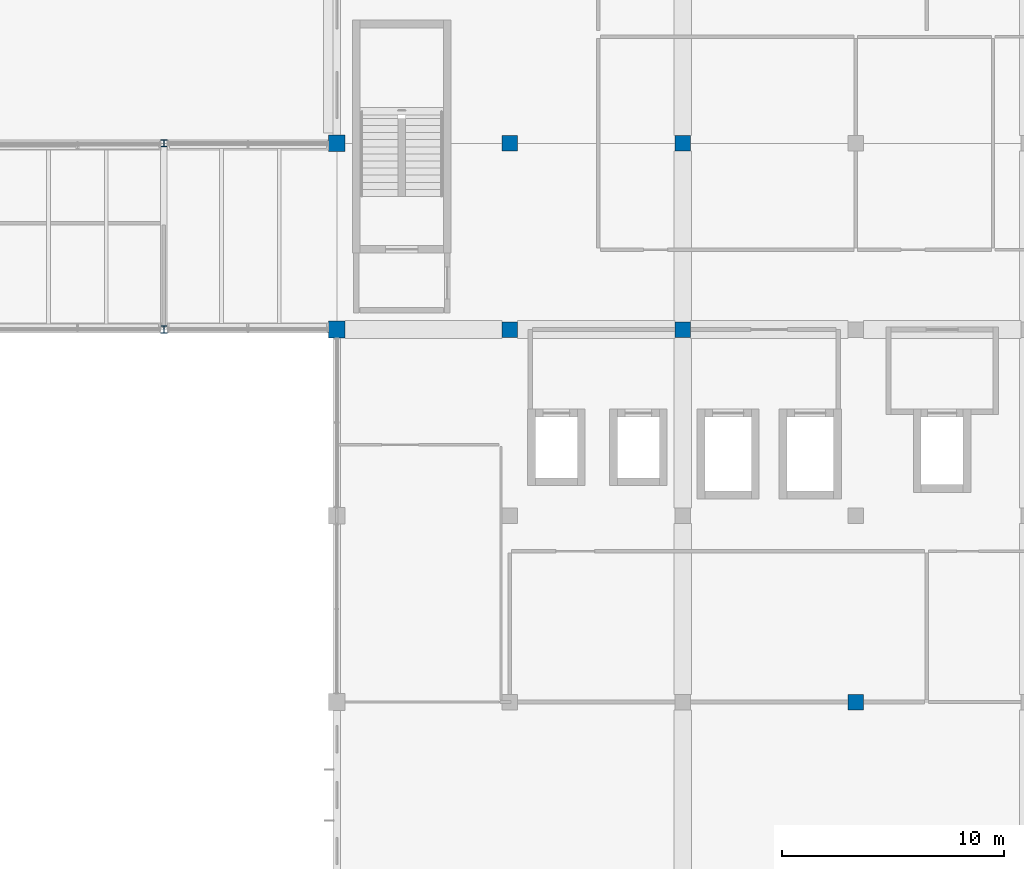
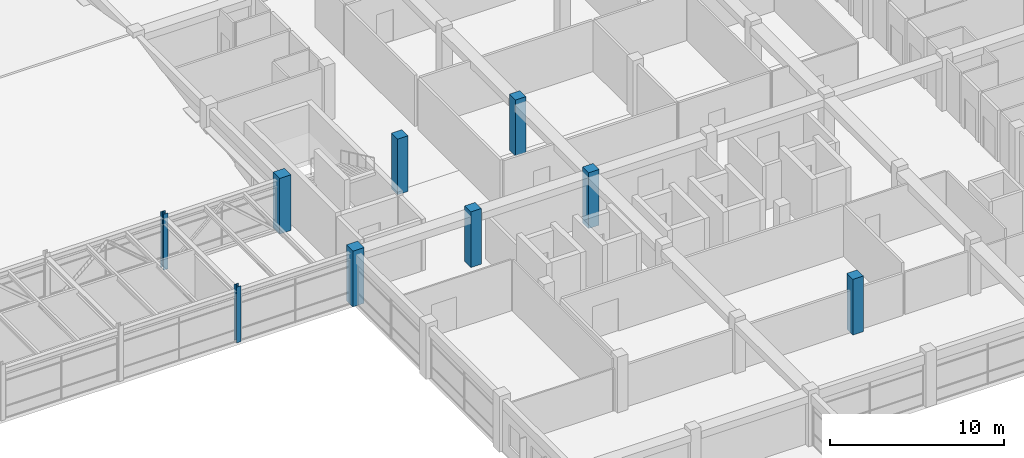
# One storey, part 4 of 72: 9 columns.
"""IFC4 building model written with IfcOpenShell, lengths in metres."""

from ifc_helpers import new_model, si_unit, direction, frame, origin, origin_2d, place, context, subcontext, project, spatial, rectangle, i_section, extrude, material, material_profile, profile_set, type_object, element, save


model = new_model("IFC4")

# Units and contexts
model_context = context("Model", 3, precision=1e-05, world=origin(), true_north=direction((0.0, 1.0)))
body_context = subcontext(model_context, "Body", "Model", "MODEL_VIEW")
ifc_project = project(units=[si_unit("LENGTHUNIT", "METRE"), si_unit("AREAUNIT", "SQUARE_METRE"), si_unit("VOLUMEUNIT", "CUBIC_METRE"), si_unit("PLANEANGLEUNIT", "RADIAN"), si_unit("MASSUNIT", "GRAM", prefix="KILO"), si_unit("THERMODYNAMICTEMPERATUREUNIT", "KELVIN"), si_unit("POWERUNIT", "WATT")], contexts=[model_context])

# Site, building, storey
site_placement = place(None, origin())
site = spatial("IfcSite", under=ifc_project, at=site_placement, CompositionType="ELEMENT")
building_placement = place(site_placement, origin())
building = spatial("IfcBuilding", under=site, at=building_placement, Name="Srebrne Nadtorze General Hospital", CompositionType="ELEMENT")
storey_placement = place(building_placement, frame((0.0, 0.0, 22.199951171875)))
storey = spatial("IfcBuildingStorey", under=building, at=storey_placement, Name="L05", CompositionType="ELEMENT", Elevation=22.199951171875)

# Columns
ifc_material_1 = material(Name="Concrete C40/50", Category="concrete")
ifc_material_profile_1 = material_profile(ifc_material_1, rectangle(XDim=0.699951171875, YDim=0.699951171875, at=origin_2d()), Name="RC-COL-700x700")
ifc_profile_set_1 = profile_set([ifc_material_profile_1], Name="Concrete C40/50")
column_type_1 = type_object("IfcColumnType", Name="Reinforced concrete column 700x700", PredefinedType="COLUMN", material=ifc_profile_set_1)
for number, where, z_axis, x_axis, name in (
    (1, (109.199951171875, 50.39990234375, 0.0), (0.0, 0.0, 1.0), (1.0, 0.0, 0.0), "Column CL-L05-15-G"),
    (2, (109.199951171875, 58.800048828125, 0.0), (0.0, 0.0, 1.0), (1.0, 0.0, 0.0), "Column CL-L05-15-H"),
    (3, (117.0, 50.39990234375, 0.0), (0.0, 0.0, 1.0), (1.0, 0.0, 0.0), "Column CL-L05-16-G"),
    (4, (117.0, 58.800048828125, 0.0), (0.0, 0.0, 1.0), (1.0, 0.0, 0.0), "Column CL-L05-16-H"),
    (5, (124.800048828125, 33.60009765625, 0.0), (0.0, 0.0, 1.0), (1.0, 0.0, 0.0), "Column CL-L05-17-E"),
):
    element("IfcColumn", number, at=place(storey_placement, frame(where, z_axis=z_axis, x_axis=x_axis)), inside=storey, type_object=column_type_1, Name=name, PredefinedType="COLUMN", context=body_context, shape_type="SweptSolid", body=[
        extrude(rectangle(XDim=0.699951171875, YDim=0.699951171875, at=origin_2d()), origin(), (0.0, 0.0, 1.0), 3.900146484375),
    ])
ifc_material_2 = material(Name="Concrete C40/50", Category="concrete")
ifc_material_profile_2 = material_profile(ifc_material_2, rectangle(XDim=0.75, YDim=0.75, at=origin_2d()), Name="RC-COL-750x750")
ifc_profile_set_2 = profile_set([ifc_material_profile_2], Name="Concrete C40/50")
column_type_2 = type_object("IfcColumnType", Name="Reinforced concrete column 750x750", PredefinedType="COLUMN", material=ifc_profile_set_2)
for number, where, z_axis, x_axis, name in (
    (6, (101.39990234375, 50.39990234375, 0.0), (0.0, 0.0, 1.0), (1.0, 0.0, 0.0), "Column CL-L05-14-G"),
    (7, (101.39990234375, 58.800048828125, 0.0), (0.0, 0.0, 1.0), (1.0, 0.0, 0.0), "Column CL-L05-14-H"),
):
    element("IfcColumn", number, at=place(storey_placement, frame(where, z_axis=z_axis, x_axis=x_axis)), inside=storey, type_object=column_type_2, Name=name, PredefinedType="COLUMN", context=body_context, shape_type="SweptSolid", body=[
        extrude(rectangle(XDim=0.75, YDim=0.75, at=origin_2d()), origin(), (0.0, 0.0, 1.0), 3.900146484375),
    ])
ifc_material_3 = material(Name="Steel S355J2", Category="steel")
ifc_material_profile_3 = material_profile(ifc_material_3, i_section(OverallWidth=0.300048828125, OverallDepth=0.320068359375, WebThickness=0.011474609375, FlangeThickness=0.0205078125, FilletRadius=0.027099609375, at=origin_2d()), Name="HEB-320")
ifc_profile_set_3 = profile_set([ifc_material_profile_3], Name="Steel S355J2")
column_type_3 = type_object("IfcColumnType", Name="Steel column HEB 320", PredefinedType="COLUMN", material=ifc_profile_set_3)
for number, where, z_axis, x_axis, name in (
    (8, (93.60009765625, 50.39990234375, 0.0), (0.0, 0.0, 1.0), (1.0, 0.0, 0.0), "Column CL-L05-13-G"),
    (9, (93.60009765625, 58.800048828125, 0.0), (0.0, 0.0, 1.0), (1.0, 0.0, 0.0), "Column CL-L05-13-H"),
):
    element("IfcColumn", number, at=place(storey_placement, frame(where, z_axis=z_axis, x_axis=x_axis)), inside=storey, type_object=column_type_3, Name=name, PredefinedType="COLUMN", context=body_context, shape_type="SweptSolid", body=[
        extrude(i_section(OverallWidth=0.300048828125, OverallDepth=0.320068359375, WebThickness=0.011474609375, FlangeThickness=0.0205078125, FilletRadius=0.027099609375, at=origin_2d()), origin(), (0.0, 0.0, 1.0), 3.900146484375),
    ])

save(model, "model.ifc")
